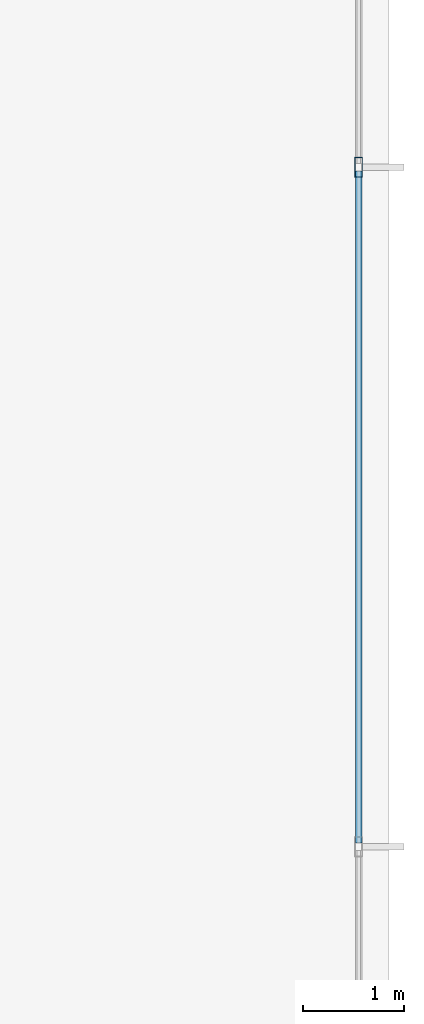
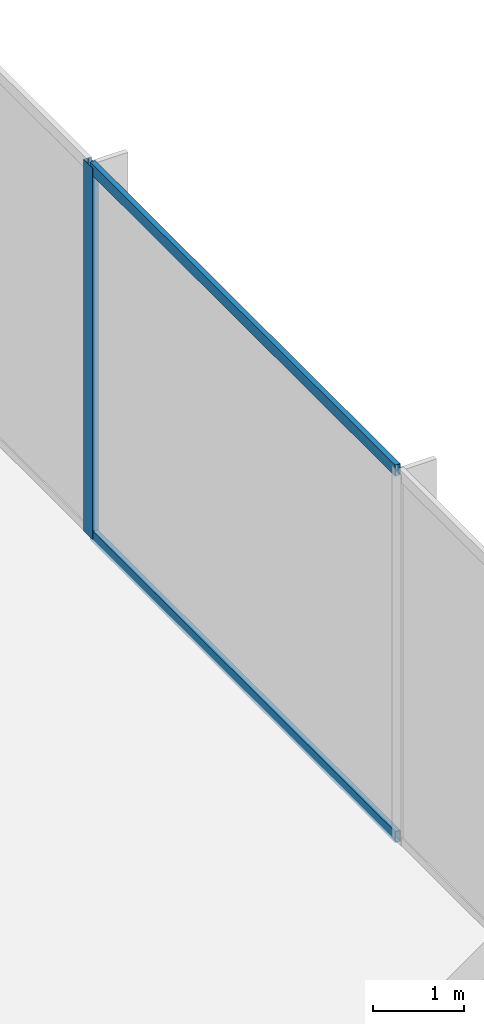
# One storey, part 29 of 43: 3 members, 1 element without a shape of its own.
"""IFC4 building model written with IfcOpenShell, lengths in metres."""

from ifc_helpers import new_model, si_unit, direction, frame, origin, origin_2d, place, context, subcontext, project, spatial, hollow_rectangle, extrude, material, layer, layer_set, material_profile, profile_set, type_object, element, aggregate, save


model = new_model("IFC4")

# Units and contexts
model_context = context("Model", 3, precision=1e-05, world=origin(), true_north=direction((0.0, 1.0)))
body_context = subcontext(model_context, "Body", "Model", "MODEL_VIEW")
ifc_project = project(units=[si_unit("LENGTHUNIT", "METRE"), si_unit("AREAUNIT", "SQUARE_METRE"), si_unit("VOLUMEUNIT", "CUBIC_METRE"), si_unit("PLANEANGLEUNIT", "RADIAN"), si_unit("MASSUNIT", "GRAM", prefix="KILO")], contexts=[model_context])

# Site, building, storey
site_placement = place(None, origin())
site = spatial("IfcSite", under=ifc_project, at=site_placement, CompositionType="ELEMENT")
building_placement = place(site_placement, origin())
building = spatial("IfcBuilding", under=site, at=building_placement, Name="Orvanel Arch Residences", CompositionType="ELEMENT")
storey_placement = place(building_placement, frame((0.0, 0.0, 18.39990234375)))
storey = spatial("IfcBuildingStorey", under=building, at=storey_placement, Name="L04", CompositionType="ELEMENT", Elevation=18.39990234375)

# Curtain wall, members
ifc_material = material(Name="Bronze-anodised aluminium AA6063-T6", Category="aluminium")
ifc_layer = layer(ifc_material, 0.199951171875)
ifc_layer_set = layer_set([ifc_layer], Name="Bronze-anodised aluminium AA6063-T6")
curtain_wall_type = type_object("IfcCurtainWallType", Name="CW1-POD-SYS", PredefinedType="NOTDEFINED", material=ifc_layer_set)
curtain_wall_placement = place(storey_placement, origin())
curtain_wall = element("IfcCurtainWall", 1, at=curtain_wall_placement, inside=storey, type_object=curtain_wall_type, Name="L04 CW1-POD-SYS Unitised Curtain Wall", PredefinedType="NOTDEFINED")
ifc_material_profile_1 = material_profile(ifc_material, hollow_rectangle(XDim=0.074951171875, YDim=0.199951171875, WallThickness=0.0048828125, at=origin_2d()), Name="ALU200x75x5")
ifc_profile_set_1 = profile_set([ifc_material_profile_1], Name="Bronze-anodised aluminium AA6063-T6")
member_type_1 = type_object("IfcMemberType", Name="MUL-200x75", PredefinedType="MULLION", material=ifc_profile_set_1)
member_1_placement = place(storey_placement, frame((64.449951171875, 47.757568359375, 0.0), z_axis=(0.0, 0.0, 1.0), x_axis=(-1.0, 0.0, 0.0)))
member_1 = element("IfcMember", 2, at=member_1_placement, type_object=member_type_1, Name="CW-S1 mullion 8", PredefinedType="MULLION", context=body_context, shape_type="SweptSolid", body=[
    extrude(hollow_rectangle(XDim=0.074951171875, YDim=0.199951171875, WallThickness=0.0048828125, at=origin_2d()), origin(), (0.0, 0.0, 1.0), 4.960205078125),
])
ifc_material_profile_2 = material_profile(ifc_material, hollow_rectangle(XDim=0.06494140625, YDim=0.14990234375, WallThickness=0.00390625, at=origin_2d()), Name="ALU150x65x4")
ifc_profile_set_2 = profile_set([ifc_material_profile_2], Name="Bronze-anodised aluminium AA6063-T6")
member_type_2 = type_object("IfcMemberType", Name="TRN-150x65", PredefinedType="USERDEFINED", material=ifc_profile_set_2)
member_2_placement = place(storey_placement, frame((64.449951171875, 41.04248046875, 0.03271484375), z_axis=(0.0, 1.0, 0.0), x_axis=(-1.0, 0.0, 0.0)))
member_2 = element("IfcMember", 3, at=member_2_placement, type_object=member_type_2, Name="CW-S1 transom 7.1", ObjectType="TRANSOM", PredefinedType="USERDEFINED", context=body_context, shape_type="SweptSolid", body=[
    extrude(hollow_rectangle(XDim=0.06494140625, YDim=0.14990234375, WallThickness=0.00390625, at=origin_2d()), origin(), (0.0, 0.0, 1.0), 6.677490234375),
])
member_3_placement = place(storey_placement, frame((64.449951171875, 41.04248046875, 4.927490234375), z_axis=(0.0, 1.0, 0.0), x_axis=(-1.0, 0.0, 0.0)))
member_3 = element("IfcMember", 4, at=member_3_placement, type_object=member_type_2, Name="CW-S1 transom 7.2", ObjectType="TRANSOM", PredefinedType="USERDEFINED", context=body_context, shape_type="SweptSolid", body=[
    extrude(hollow_rectangle(XDim=0.06494140625, YDim=0.14990234375, WallThickness=0.00390625, at=origin_2d()), origin(), (0.0, 0.0, 1.0), 6.677490234375),
])
aggregate(curtain_wall, [member_1, member_2, member_3])

save(model, "model.ifc")
